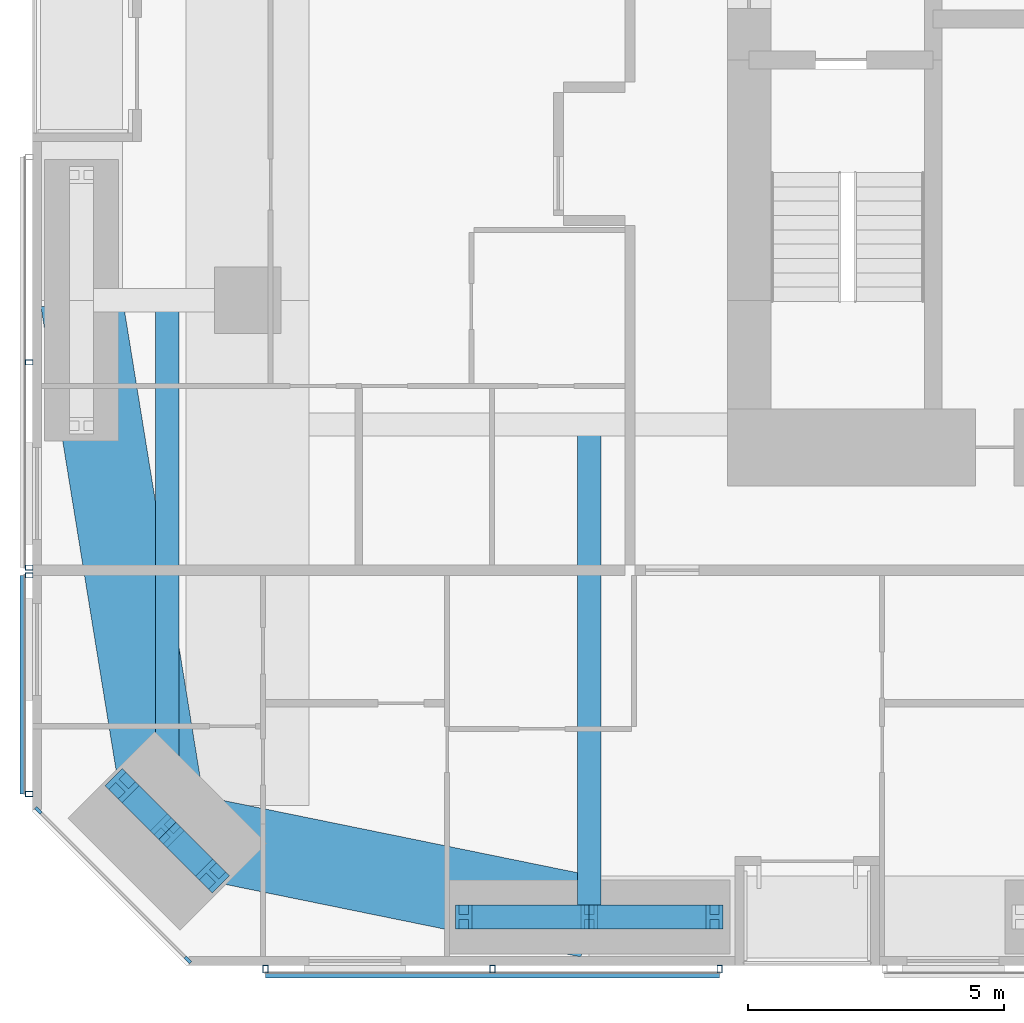
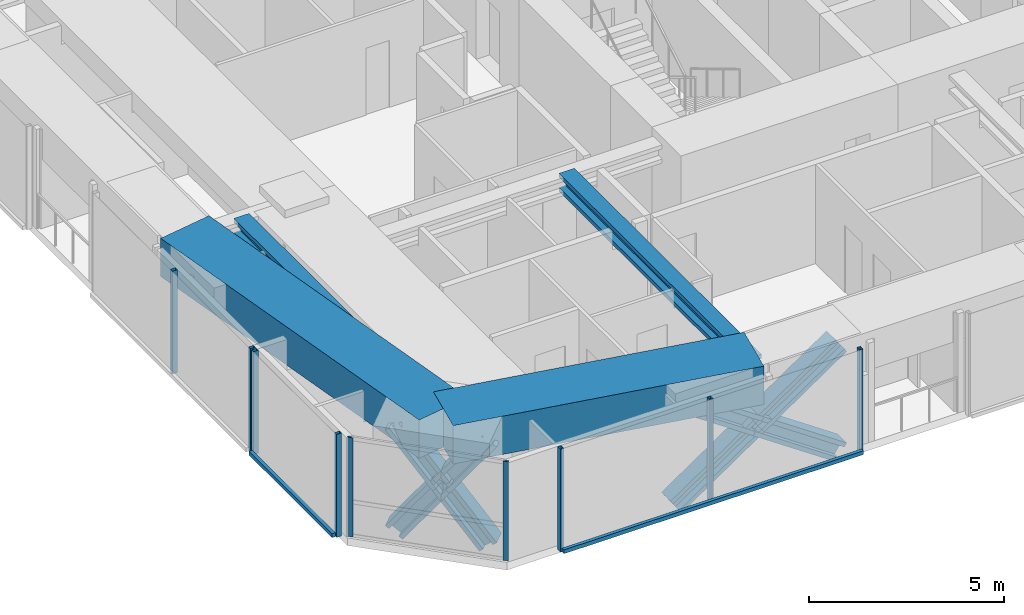
# One storey, part 2 of 23: 19 members, 4 beams, 4 elements without a shape of their own.
"""IFC4 building model written with IfcOpenShell, lengths in metres."""

from ifc_helpers import new_model, si_unit, direction, frame, origin, origin_2d, place, context, subcontext, project, spatial, rectangle, hollow_rectangle, i_section, extrude, material, material_profile, profile_set, type_object, element, aggregate, save


model = new_model("IFC4")

# Units and contexts
model_context = context("Model", 3, precision=1e-05, world=origin(), true_north=direction((0.0, 1.0)))
body_context = subcontext(model_context, "Body", "Model", "MODEL_VIEW")
ifc_project = project(units=[si_unit("LENGTHUNIT", "METRE"), si_unit("AREAUNIT", "SQUARE_METRE"), si_unit("VOLUMEUNIT", "CUBIC_METRE"), si_unit("PLANEANGLEUNIT", "RADIAN"), si_unit("MASSUNIT", "GRAM", prefix="KILO")], contexts=[model_context])

# Site, building, storey
site_placement = place(None, origin())
site = spatial("IfcSite", under=ifc_project, at=site_placement, CompositionType="ELEMENT")
building_placement = place(site_placement, origin())
building = spatial("IfcBuilding", under=site, at=building_placement, Name="Jalousie Tower", CompositionType="ELEMENT")
storey_placement = place(building_placement, frame((0.0, 0.0, 108.199951171875)))
storey = spatial("IfcBuildingStorey", under=building, at=storey_placement, Name="L29", CompositionType="ELEMENT", Elevation=108.199951171875)

# Curtain wall, members
ifc_material_1 = material(Name="Aluminium curtain wall", Category="aluminium")
curtain_wall_type_1 = type_object("IfcCurtainWallType", Name="CORNER WINDOW WALL", PredefinedType="USERDEFINED", material=ifc_material_1)
curtain_wall_1_placement = place(storey_placement, origin())
curtain_wall_1 = element("IfcCurtainWall", 1, at=curtain_wall_1_placement, inside=storey, type_object=curtain_wall_type_1, Name="Corner Window Wall L29 8", ObjectType="CORNER WINDOW WALL", PredefinedType="USERDEFINED")
ifc_material_2 = material(Name="Aluminium mullion", Category="aluminium")
ifc_material_profile_1 = material_profile(ifc_material_2, rectangle(XDim=0.06005859375, YDim=0.14990234375, at=origin_2d()), Name="MULLION 60x150")
ifc_profile_set_1 = profile_set([ifc_material_profile_1], Name="Aluminium mullion")
member_type_1 = type_object("IfcMemberType", Name="CORNER WINDOW WALL MULLION", PredefinedType="MULLION", material=ifc_profile_set_1)
member_1_placement = place(storey_placement, frame((6.108642578125, 3.030029296875, 0.0), z_axis=(0.0, 0.0, 1.0), x_axis=(0.707106781187, 0.707106781187, 0.0)))
member_1 = element("IfcMember", 2, at=member_1_placement, type_object=member_type_1, Name="CW-C mullion 1", PredefinedType="MULLION", context=body_context, shape_type="SweptSolid", body=[
    extrude(rectangle(XDim=0.06005859375, YDim=0.14990234375, at=origin_2d()), origin(), (0.0, 0.0, 1.0), 3.110107421875),
])
member_2_placement = place(storey_placement, frame((9.030029296875, 0.108642578125, 0.0), z_axis=(0.0, 0.0, 1.0), x_axis=(0.707106781187, 0.707106781187, 0.0)))
member_2 = element("IfcMember", 3, at=member_2_placement, type_object=member_type_1, Name="CW-C mullion 2", PredefinedType="MULLION", context=body_context, shape_type="SweptSolid", body=[
    extrude(rectangle(XDim=0.06005859375, YDim=0.14990234375, at=origin_2d()), origin(), (0.0, 0.0, 1.0), 3.110107421875),
])
aggregate(curtain_wall_1, [member_1, member_2])

# Beams
ifc_material_3 = material(Name="Steel ASTM A992 Grade 50", Category="steel")
ifc_material_profile_2 = material_profile(ifc_material_3, i_section(OverallWidth=0.45458984375, OverallDepth=0.569091796875, WebThickness=0.077880859375, FlangeThickness=0.124755859375, at=origin_2d()), Name="W14X730")
ifc_profile_set_2 = profile_set([ifc_material_profile_2], Name="Steel ASTM A992 Grade 50")
beam_type_1 = type_object("IfcBeamType", Name="LEAN COLLECTOR W14X730", PredefinedType="BEAM", material=ifc_profile_set_2)
beam_1_placement = place(storey_placement, frame((8.63134765625, 2.63134765625, 2.825439453125), z_axis=(0.0, 1.0, 0.0), x_axis=(-1.0, 0.0, 0.0)))
element("IfcBeam", 4, at=beam_1_placement, inside=storey, type_object=beam_type_1, Name="Lean collector under L30", PredefinedType="BEAM", context=body_context, shape_type="SweptSolid", body=[
    extrude(i_section(OverallWidth=0.45458984375, OverallDepth=0.569091796875, WebThickness=0.077880859375, FlangeThickness=0.124755859375, at=origin_2d()), origin(), (0.0, 0.0, 1.0), 10.36865234375),
])
beam_2_placement = place(storey_placement, frame((16.875, 0.949951171875, 2.825439453125), z_axis=(0.0, 1.0, 0.0), x_axis=(-1.0, 0.0, 0.0)))
element("IfcBeam", 5, at=beam_2_placement, inside=storey, type_object=beam_type_1, Name="Lean collector under L30", PredefinedType="BEAM", context=body_context, shape_type="SweptSolid", body=[
    extrude(i_section(OverallWidth=0.45458984375, OverallDepth=0.569091796875, WebThickness=0.077880859375, FlangeThickness=0.124755859375, at=origin_2d()), origin(), (0.0, 0.0, 1.0), 9.625),
])

# Members
ifc_material_4 = material(Name="Steel ASTM A992 Grade 50", Category="steel")
ifc_material_profile_3 = material_profile(ifc_material_4, i_section(OverallWidth=0.472412109375, OverallDepth=0.5791015625, WebThickness=0.094970703125, FlangeThickness=0.1298828125, at=origin_2d()), Name="W14X808")
ifc_profile_set_3 = profile_set([ifc_material_profile_3], Name="Steel ASTM A992 Grade 50")
member_type_2 = type_object("IfcMemberType", Name="PERIMETER BRACE W14X808", PredefinedType="BRACE", material=ifc_profile_set_3)
member_3_placement = place(storey_placement, frame((7.74755859375, 3.515380859375, -0.599853515625), z_axis=(0.422891306588, -0.423008127391, 0.801390708065), x_axis=(0.707204427637, 0.70700912125, 0.0)))
element("IfcMember", 6, at=member_3_placement, inside=storey, type_object=member_type_2, Name="Perimeter brace 01 L29 part 1", PredefinedType="BRACE", context=body_context, shape_type="SweptSolid", body=[
    extrude(i_section(OverallWidth=0.472412109375, OverallDepth=0.5791015625, WebThickness=0.094970703125, FlangeThickness=0.1298828125, at=origin_2d()), origin(), (0.0, 0.0, 1.0), 2.08984375),
])
member_4_placement = place(storey_placement, frame((8.63134765625, 2.63134765625, 1.074951171875), z_axis=(0.422968528423, -0.422851718556, 0.801432497518), x_axis=(0.70700912125, 0.707204427637, 0.0)))
element("IfcMember", 7, at=member_4_placement, inside=storey, type_object=member_type_2, Name="Perimeter brace 01 L29 part 2", PredefinedType="BRACE", context=body_context, shape_type="SweptSolid", body=[
    extrude(i_section(OverallWidth=0.472412109375, OverallDepth=0.5791015625, WebThickness=0.094970703125, FlangeThickness=0.1298828125, at=origin_2d()), origin(), (0.0, 0.0, 1.0), 2.090087890625),
])
member_5_placement = place(storey_placement, frame((9.515380859375, 1.74755859375, -0.599853515625), z_axis=(-0.423008127391, 0.422891306588, 0.801390708065), x_axis=(-0.70700912125, -0.707204427637, 0.0)))
element("IfcMember", 8, at=member_5_placement, inside=storey, type_object=member_type_2, Name="Perimeter brace 01 L29 part 3", PredefinedType="BRACE", context=body_context, shape_type="SweptSolid", body=[
    extrude(i_section(OverallWidth=0.472412109375, OverallDepth=0.5791015625, WebThickness=0.094970703125, FlangeThickness=0.1298828125, at=origin_2d()), origin(), (0.0, 0.0, 1.0), 2.08984375),
])
member_6_placement = place(storey_placement, frame((8.63134765625, 2.63134765625, 1.074951171875), z_axis=(-0.422851718556, 0.422968528423, 0.801432497518), x_axis=(-0.707204427637, -0.70700912125, 0.0)))
element("IfcMember", 9, at=member_6_placement, inside=storey, type_object=member_type_2, Name="Perimeter brace 01 L29 part 4", PredefinedType="BRACE", context=body_context, shape_type="SweptSolid", body=[
    extrude(i_section(OverallWidth=0.472412109375, OverallDepth=0.5791015625, WebThickness=0.094970703125, FlangeThickness=0.1298828125, at=origin_2d()), origin(), (0.0, 0.0, 1.0), 2.090087890625),
])
for number, where, z_axis, x_axis, name in (
    (10, (14.425048828125, 0.949951171875, -0.599853515625), (0.825539243753, 0.0, 0.564344714713), (0.0, 1.0, 0.0), "Perimeter brace 02 L29 part 1"),
    (11, (16.875, 0.949951171875, 1.074951171875), (0.825500916831, 0.0, 0.564400776321), (0.0, 1.0, 0.0), "Perimeter brace 02 L29 part 2"),
    (12, (19.324951171875, 0.949951171875, -0.599853515625), (-0.825539243753, 0.0, 0.564344714713), (0.0, -1.0, 0.0), "Perimeter brace 02 L29 part 3"),
    (13, (16.875, 0.949951171875, 1.074951171875), (-0.825500916831, 0.0, 0.564400776321), (0.0, -1.0, 0.0), "Perimeter brace 02 L29 part 4"),
):
    element("IfcMember", number, at=place(storey_placement, frame(where, z_axis=z_axis, x_axis=x_axis)), inside=storey, type_object=member_type_2, Name=name, PredefinedType="BRACE", context=body_context, shape_type="SweptSolid", body=[
        extrude(i_section(OverallWidth=0.472412109375, OverallDepth=0.5791015625, WebThickness=0.094970703125, FlangeThickness=0.1298828125, at=origin_2d()), origin(), (0.0, 0.0, 1.0), 2.9677734375),
    ])

# Beams
ifc_material_5 = material(Name="Concrete f'c 40 MPa", Category="concrete")
ifc_material_profile_4 = material_profile(ifc_material_5, rectangle(XDim=1.60009765625, YDim=1.199951171875, at=origin_2d()), Name="RC 1600x1200")
ifc_profile_set_4 = profile_set([ifc_material_profile_4], Name="Concrete f'c 40 MPa")
beam_type_2 = type_object("IfcBeamType", Name="RC BEAM 1600x1200", PredefinedType="BEAM", material=ifc_profile_set_4)
beam_3_placement = place(storey_placement, frame((8.63134765625, 2.63134765625, 2.75), z_axis=(0.97982690954, -0.199848010602, 0.0), x_axis=(0.199848010602, 0.97982690954, 0.0)))
element("IfcBeam", 14, at=beam_3_placement, inside=storey, type_object=beam_type_2, Name="Edge band beam 01-02 under L30", PredefinedType="BEAM", context=body_context, shape_type="SweptSolid", body=[
    extrude(rectangle(XDim=1.60009765625, YDim=1.199951171875, at=origin_2d()), origin(), (0.0, 0.0, 1.0), 8.413330078125),
])
beam_4_placement = place(storey_placement, frame((6.949951171875, 13.0, 2.75), z_axis=(0.160070546476, -0.987105577003, 0.0), x_axis=(0.987105577003, 0.160070546476, 0.0)))
element("IfcBeam", 15, at=beam_4_placement, inside=storey, type_object=beam_type_2, Name="Edge band beam 14-01 under L30", PredefinedType="BEAM", context=body_context, shape_type="SweptSolid", body=[
    extrude(rectangle(XDim=1.60009765625, YDim=1.199951171875, at=origin_2d()), origin(), (0.0, 0.0, 1.0), 10.504150390625),
])

# Curtain wall, members
ifc_material_6 = material(Name="Perforated aluminium sheet", Category="aluminium")
curtain_wall_type_2 = type_object("IfcCurtainWallType", Name="SOLAR SCREEN SS-1", PredefinedType="USERDEFINED", material=ifc_material_6)
curtain_wall_2_placement = place(storey_placement, origin())
curtain_wall_2 = element("IfcCurtainWall", 16, at=curtain_wall_2_placement, inside=storey, type_object=curtain_wall_type_2, Name="Solar screen L29", ObjectType="SOLAR SCREEN SS-1", PredefinedType="USERDEFINED")
ifc_material_7 = material(Name="Steel ASTM A500 Grade C", Category="steel")
ifc_material_profile_5 = material_profile(ifc_material_7, hollow_rectangle(XDim=0.1015625, YDim=0.15234375, WallThickness=0.00634765625, at=origin_2d()), Name="HSS6X4X1/4")
ifc_profile_set_5 = profile_set([ifc_material_profile_5], Name="Steel ASTM A500 Grade C")
member_type_3 = type_object("IfcMemberType", Name="SOLAR SCREEN SS-1 MULLION", PredefinedType="MULLION", material=ifc_profile_set_5)
member_7_placement = place(storey_placement, frame((10.550048828125, -0.0712890625, -0.119873046875), z_axis=(0.0, 0.0, 1.0), x_axis=(1.0, 0.0, 0.0)))
member_7 = element("IfcMember", 17, at=member_7_placement, type_object=member_type_3, Name="SS1 post 1", PredefinedType="MULLION", context=body_context, shape_type="SweptSolid", body=[
    extrude(hollow_rectangle(XDim=0.1015625, YDim=0.15234375, WallThickness=0.00634765625, at=origin_2d()), origin(), (0.0, 0.0, 1.0), 3.22998046875),
])
member_8_placement = place(storey_placement, frame((14.987548828125, -0.0712890625, -0.119873046875), z_axis=(0.0, 0.0, 1.0), x_axis=(1.0, 0.0, 0.0)))
member_8 = element("IfcMember", 18, at=member_8_placement, type_object=member_type_3, Name="SS1 post 2", PredefinedType="MULLION", context=body_context, shape_type="SweptSolid", body=[
    extrude(hollow_rectangle(XDim=0.1015625, YDim=0.15234375, WallThickness=0.00634765625, at=origin_2d()), origin(), (0.0, 0.0, 1.0), 3.22998046875),
])
member_9_placement = place(storey_placement, frame((19.425048828125, -0.0712890625, -0.119873046875), z_axis=(0.0, 0.0, 1.0), x_axis=(1.0, 0.0, 0.0)))
member_9 = element("IfcMember", 19, at=member_9_placement, type_object=member_type_3, Name="SS1 post 3", PredefinedType="MULLION", context=body_context, shape_type="SweptSolid", body=[
    extrude(hollow_rectangle(XDim=0.1015625, YDim=0.15234375, WallThickness=0.00634765625, at=origin_2d()), origin(), (0.0, 0.0, 1.0), 3.22998046875),
])

curtain_wall_3_placement = place(storey_placement, origin())
curtain_wall_3 = element("IfcCurtainWall", 20, at=curtain_wall_3_placement, inside=storey, type_object=curtain_wall_type_2, Name="Solar screen L29", ObjectType="SOLAR SCREEN SS-1", PredefinedType="USERDEFINED")
member_10_placement = place(storey_placement, frame((5.9287109375, 11.78759765625, -0.119873046875), z_axis=(0.0, 0.0, 1.0), x_axis=(0.0, -1.0, 0.0)))
member_10 = element("IfcMember", 21, at=member_10_placement, type_object=member_type_3, Name="SS1 post 2", PredefinedType="MULLION", context=body_context, shape_type="SweptSolid", body=[
    extrude(hollow_rectangle(XDim=0.1015625, YDim=0.15234375, WallThickness=0.00634765625, at=origin_2d()), origin(), (0.0, 0.0, 1.0), 3.22998046875),
])
member_11_placement = place(storey_placement, frame((5.9287109375, 7.77490234375, -0.119873046875), z_axis=(0.0, 0.0, 1.0), x_axis=(0.0, -1.0, 0.0)))
member_11 = element("IfcMember", 22, at=member_11_placement, type_object=member_type_3, Name="SS1 post 3", PredefinedType="MULLION", context=body_context, shape_type="SweptSolid", body=[
    extrude(hollow_rectangle(XDim=0.1015625, YDim=0.15234375, WallThickness=0.00634765625, at=origin_2d()), origin(), (0.0, 0.0, 1.0), 3.22998046875),
])
aggregate(curtain_wall_3, [member_10, member_11])

curtain_wall_4_placement = place(storey_placement, origin())
curtain_wall_4 = element("IfcCurtainWall", 23, at=curtain_wall_4_placement, inside=storey, type_object=curtain_wall_type_2, Name="Solar screen L29", ObjectType="SOLAR SCREEN SS-1", PredefinedType="USERDEFINED")
member_12_placement = place(storey_placement, frame((5.9287109375, 7.625, -0.119873046875), z_axis=(0.0, 0.0, 1.0), x_axis=(0.0, -1.0, 0.0)))
member_12 = element("IfcMember", 24, at=member_12_placement, type_object=member_type_3, Name="SS1 post 1", PredefinedType="MULLION", context=body_context, shape_type="SweptSolid", body=[
    extrude(hollow_rectangle(XDim=0.1015625, YDim=0.15234375, WallThickness=0.00634765625, at=origin_2d()), origin(), (0.0, 0.0, 1.0), 3.22998046875),
])
member_13_placement = place(storey_placement, frame((5.9287109375, 3.351318359375, -0.119873046875), z_axis=(0.0, 0.0, 1.0), x_axis=(0.0, -1.0, 0.0)))
member_13 = element("IfcMember", 25, at=member_13_placement, type_object=member_type_3, Name="SS1 post 2", PredefinedType="MULLION", context=body_context, shape_type="SweptSolid", body=[
    extrude(hollow_rectangle(XDim=0.1015625, YDim=0.15234375, WallThickness=0.00634765625, at=origin_2d()), origin(), (0.0, 0.0, 1.0), 3.22998046875),
])

# Member
ifc_material_8 = material(Name="Extruded aluminium screen rail", Category="aluminium")
ifc_material_profile_6 = material_profile(ifc_material_8, rectangle(XDim=0.1015625, YDim=0.1201171875, at=origin_2d()), Name="RAIL 102x120")
ifc_profile_set_6 = profile_set([ifc_material_profile_6], Name="Extruded aluminium screen rail")
member_type_4 = type_object("IfcMemberType", Name="SOLAR SCREEN SS-1 TRANSOM", PredefinedType="USERDEFINED", material=ifc_profile_set_6)
member_14_placement = place(storey_placement, frame((10.550048828125, -0.1982421875, -0.06005859375), z_axis=(1.0, 0.0, 0.0), x_axis=(0.0, 1.0, 0.0)))
member_14 = element("IfcMember", 26, at=member_14_placement, type_object=member_type_4, Name="SS1 rail", ObjectType="TRANSOM", PredefinedType="USERDEFINED", context=body_context, shape_type="SweptSolid", body=[
    extrude(rectangle(XDim=0.1015625, YDim=0.1201171875, at=origin_2d()), origin(), (0.0, 0.0, 1.0), 8.875),
])

aggregate(curtain_wall_2, [member_7, member_8, member_9, member_14])

member_15_placement = place(storey_placement, frame((5.8017578125, 7.625, -0.06005859375), z_axis=(0.0, -1.0, 0.0), x_axis=(1.0, 0.0, 0.0)))
member_15 = element("IfcMember", 27, at=member_15_placement, type_object=member_type_4, Name="SS1 rail", ObjectType="TRANSOM", PredefinedType="USERDEFINED", context=body_context, shape_type="SweptSolid", body=[
    extrude(rectangle(XDim=0.1015625, YDim=0.1201171875, at=origin_2d()), origin(), (0.0, 0.0, 1.0), 4.273681640625),
])

aggregate(curtain_wall_4, [member_12, member_13, member_15])

save(model, "model.ifc")
